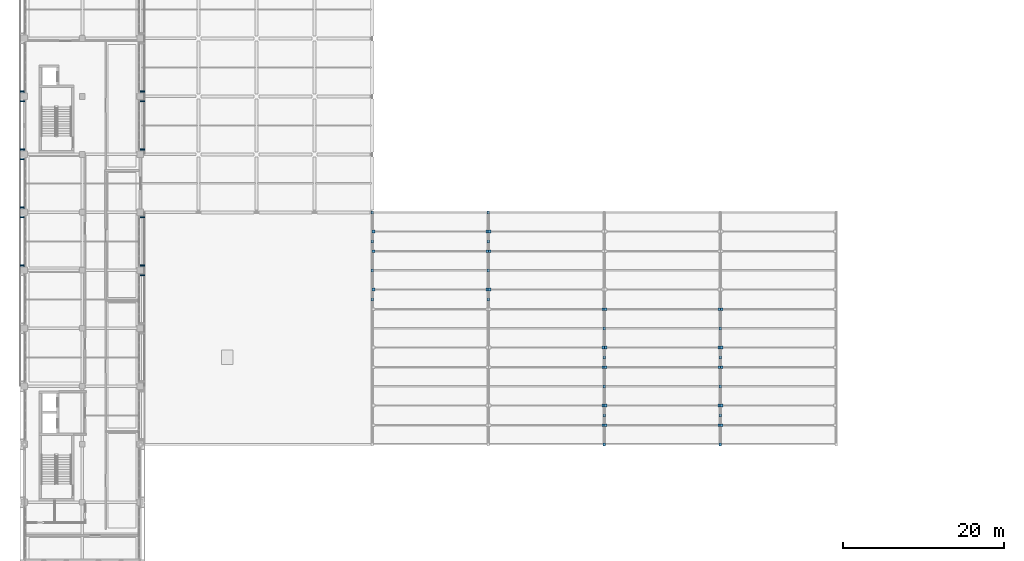
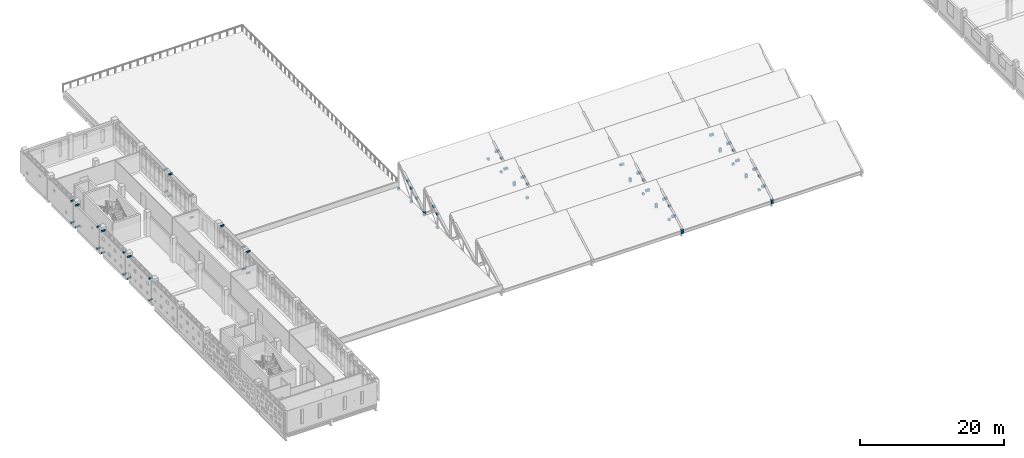
# One storey, part 42 of 51: 89 discrete accessories.
"""IFC4 building model written with IfcOpenShell, lengths in metres."""

from ifc_helpers import new_model, si_unit, direction, frame, origin, origin_2d, place, context, subcontext, project, spatial, rectangle, extrude, material, type_object, element, save


model = new_model("IFC4")

# Units and contexts
model_context = context("Model", 3, precision=1e-05, world=origin(), true_north=direction((0.0, 1.0)))
body_context = subcontext(model_context, "Body", "Model", "MODEL_VIEW")
ifc_project = project(units=[si_unit("LENGTHUNIT", "METRE"), si_unit("AREAUNIT", "SQUARE_METRE"), si_unit("VOLUMEUNIT", "CUBIC_METRE"), si_unit("PLANEANGLEUNIT", "RADIAN"), si_unit("MASSUNIT", "GRAM", prefix="KILO")], contexts=[model_context])

# Site, building, storey
site_placement = place(None, origin())
site = spatial("IfcSite", under=ifc_project, at=site_placement, CompositionType="ELEMENT")
building_placement = place(site_placement, origin())
building = spatial("IfcBuilding", under=site, at=building_placement, Name="Valkovuoma Quantum and Materials Research Institute", CompositionType="ELEMENT")
storey_placement = place(building_placement, frame((0.0, 0.0, 17.280029296875)))
storey = spatial("IfcBuildingStorey", under=building, at=storey_placement, Name="L04", CompositionType="ELEMENT", Elevation=17.280029296875)

# Discrete accessories
ifc_material_1 = material(Name="Steel S355J2", Category="steel")
discrete_accessory_type_1 = type_object("IfcDiscreteAccessoryType", Name="Brk-BRK-01", PredefinedType="BRACKET", material=ifc_material_1)
for number, where, z_axis, x_axis, name in (
    (1, (14.64990234375, 57.0, -0.02978515625), (0.0, 0.0, 1.0), (1.0, 0.0, 0.0), "L04 screen bracket 00182"),
    (2, (14.64990234375, 57.0, 3.6201171875), (0.0, 0.0, 1.0), (1.0, 0.0, 0.0), "L04 screen bracket 00184"),
    (3, (-0.25, 58.199951171875, -0.02978515625), (0.0, 0.0, 1.0), (1.0, 0.0, 0.0), "L04 screen bracket 00185"),
    (4, (-0.25, 64.199951171875, -0.02978515625), (0.0, 0.0, 1.0), (1.0, 0.0, 0.0), "L04 screen bracket 00186"),
    (5, (-0.25, 58.199951171875, 3.6201171875), (0.0, 0.0, 1.0), (1.0, 0.0, 0.0), "L04 screen bracket 00187"),
    (6, (-0.25, 64.199951171875, 3.6201171875), (0.0, 0.0, 1.0), (1.0, 0.0, 0.0), "L04 screen bracket 00188"),
    (7, (14.64990234375, 58.199951171875, -0.02978515625), (0.0, 0.0, 1.0), (1.0, 0.0, 0.0), "L04 screen bracket 00189"),
    (8, (14.64990234375, 64.199951171875, -0.02978515625), (0.0, 0.0, 1.0), (1.0, 0.0, 0.0), "L04 screen bracket 00190"),
    (9, (14.64990234375, 58.199951171875, 3.6201171875), (0.0, 0.0, 1.0), (1.0, 0.0, 0.0), "L04 screen bracket 00191"),
    (10, (14.64990234375, 64.199951171875, 3.6201171875), (0.0, 0.0, 1.0), (1.0, 0.0, 0.0), "L04 screen bracket 00192"),
    (11, (-0.25, 65.39990234375, -0.02978515625), (0.0, 0.0, 1.0), (1.0, 0.0, 0.0), "L04 screen bracket 00193"),
    (12, (-0.25, 71.39990234375, -0.02978515625), (0.0, 0.0, 1.0), (1.0, 0.0, 0.0), "L04 screen bracket 00194"),
    (13, (-0.25, 65.39990234375, 3.6201171875), (0.0, 0.0, 1.0), (1.0, 0.0, 0.0), "L04 screen bracket 00195"),
    (14, (-0.25, 71.39990234375, 3.6201171875), (0.0, 0.0, 1.0), (1.0, 0.0, 0.0), "L04 screen bracket 00196"),
    (15, (-0.25, 72.60009765625, -0.02978515625), (0.0, 0.0, 1.0), (1.0, 0.0, 0.0), "L04 screen bracket 00197"),
    (16, (-0.25, 78.60009765625, -0.02978515625), (0.0, 0.0, 1.0), (1.0, 0.0, 0.0), "L04 screen bracket 00198"),
    (17, (-0.25, 72.60009765625, 3.6201171875), (0.0, 0.0, 1.0), (1.0, 0.0, 0.0), "L04 screen bracket 00199"),
    (18, (-0.25, 78.60009765625, 3.6201171875), (0.0, 0.0, 1.0), (1.0, 0.0, 0.0), "L04 screen bracket 00200"),
    (19, (14.64990234375, 72.60009765625, -0.02978515625), (0.0, 0.0, 1.0), (1.0, 0.0, 0.0), "L04 screen bracket 00201"),
    (20, (14.64990234375, 78.60009765625, -0.02978515625), (0.0, 0.0, 1.0), (1.0, 0.0, 0.0), "L04 screen bracket 00202"),
    (21, (14.64990234375, 72.60009765625, 3.6201171875), (0.0, 0.0, 1.0), (1.0, 0.0, 0.0), "L04 screen bracket 00203"),
    (22, (14.64990234375, 78.60009765625, 3.6201171875), (0.0, 0.0, 1.0), (1.0, 0.0, 0.0), "L04 screen bracket 00204"),
    (23, (-0.25, 79.800048828125, -0.02978515625), (0.0, 0.0, 1.0), (1.0, 0.0, 0.0), "L04 screen bracket 00205"),
    (24, (-0.25, 79.800048828125, 3.6201171875), (0.0, 0.0, 1.0), (1.0, 0.0, 0.0), "L04 screen bracket 00207"),
    (25, (14.64990234375, 79.800048828125, -0.02978515625), (0.0, 0.0, 1.0), (1.0, 0.0, 0.0), "L04 screen bracket 00209"),
    (26, (14.64990234375, 79.800048828125, 3.6201171875), (0.0, 0.0, 1.0), (1.0, 0.0, 0.0), "L04 screen bracket 00211"),
):
    element("IfcDiscreteAccessory", number, at=place(storey_placement, frame(where, z_axis=z_axis, x_axis=x_axis)), inside=storey, type_object=discrete_accessory_type_1, Name=name, PredefinedType="BRACKET", context=body_context, shape_type="SweptSolid", body=[
        extrude(rectangle(XDim=0.580078125, YDim=0.159912109375, at=origin_2d()), origin(), (0.0, 0.0, 1.0), 0.219970703125),
    ])
ifc_material_2 = material(Name="Steel S355J2", Category="steel")
discrete_accessory_type_2 = type_object("IfcDiscreteAccessoryType", Name="Conn-END-01", PredefinedType="BRACKET", material=ifc_material_2)
for number, where, z_axis, x_axis, name in (
    (27, (43.199951171875, 57.60009765625, -0.52001953125), (0.0, 0.0, 1.0), (1.0, 0.0, 0.0), "L04 brace end connection assembly 0143"),
    (28, (43.199951171875, 54.0, -0.52001953125), (0.0, 0.0, 1.0), (1.0, 0.0, 0.0), "L04 brace end connection assembly 0144"),
    (29, (43.199951171875, 54.0, 1.77490234375), (0.0, 0.0, 1.0), (1.0, 0.0, 0.0), "L04 brace end connection assembly 0145"),
    (30, (43.199951171875, 57.60009765625, -0.169921875), (0.0, 0.0, 1.0), (1.0, 0.0, 0.0), "L04 brace end connection assembly 0146"),
    (31, (43.199951171875, 64.800048828125, -0.52001953125), (0.0, 0.0, 1.0), (1.0, 0.0, 0.0), "L04 brace end connection assembly 0147"),
    (32, (43.199951171875, 61.199951171875, -0.52001953125), (0.0, 0.0, 1.0), (1.0, 0.0, 0.0), "L04 brace end connection assembly 0148"),
    (33, (43.199951171875, 61.199951171875, 1.77490234375), (0.0, 0.0, 1.0), (1.0, 0.0, 0.0), "L04 brace end connection assembly 0149"),
    (34, (57.60009765625, 57.60009765625, -0.52001953125), (0.0, 0.0, 1.0), (1.0, 0.0, 0.0), "L04 brace end connection assembly 0160"),
    (35, (57.60009765625, 54.0, -0.52001953125), (0.0, 0.0, 1.0), (1.0, 0.0, 0.0), "L04 brace end connection assembly 0161"),
    (36, (57.60009765625, 54.0, 1.77490234375), (0.0, 0.0, 1.0), (1.0, 0.0, 0.0), "L04 brace end connection assembly 0162"),
    (37, (57.60009765625, 57.60009765625, -0.169921875), (0.0, 0.0, 1.0), (1.0, 0.0, 0.0), "L04 brace end connection assembly 0163"),
    (38, (57.60009765625, 64.800048828125, -0.52001953125), (0.0, 0.0, 1.0), (1.0, 0.0, 0.0), "L04 brace end connection assembly 0164"),
    (39, (57.60009765625, 61.199951171875, -0.52001953125), (0.0, 0.0, 1.0), (1.0, 0.0, 0.0), "L04 brace end connection assembly 0165"),
    (40, (57.60009765625, 61.199951171875, 1.77490234375), (0.0, 0.0, 1.0), (1.0, 0.0, 0.0), "L04 brace end connection assembly 0166"),
    (41, (72.0, 36.0, -0.169921875), (0.0, 0.0, 1.0), (1.0, 0.0, 0.0), "L04 brace end connection assembly 0167"),
    (42, (72.0, 43.199951171875, -0.52001953125), (0.0, 0.0, 1.0), (1.0, 0.0, 0.0), "L04 brace end connection assembly 0168"),
    (43, (72.0, 39.60009765625, -0.52001953125), (0.0, 0.0, 1.0), (1.0, 0.0, 0.0), "L04 brace end connection assembly 0169"),
    (44, (72.0, 39.60009765625, 1.77490234375), (0.0, 0.0, 1.0), (1.0, 0.0, 0.0), "L04 brace end connection assembly 0170"),
    (45, (72.0, 36.0, -0.52001953125), (0.0, 0.0, 1.0), (1.0, 0.0, 0.0), "L04 brace end connection assembly 0171"),
    (46, (72.0, 43.199951171875, -0.169921875), (0.0, 0.0, 1.0), (1.0, 0.0, 0.0), "L04 brace end connection assembly 0172"),
    (47, (72.0, 50.39990234375, -0.52001953125), (0.0, 0.0, 1.0), (1.0, 0.0, 0.0), "L04 brace end connection assembly 0173"),
    (48, (72.0, 46.800048828125, -0.52001953125), (0.0, 0.0, 1.0), (1.0, 0.0, 0.0), "L04 brace end connection assembly 0174"),
    (49, (72.0, 46.800048828125, 1.77490234375), (0.0, 0.0, 1.0), (1.0, 0.0, 0.0), "L04 brace end connection assembly 0175"),
    (50, (72.0, 50.39990234375, -0.169921875), (0.0, 0.0, 1.0), (1.0, 0.0, 0.0), "L04 brace end connection assembly 0176"),
    (51, (86.39990234375, 36.0, -0.169921875), (0.0, 0.0, 1.0), (1.0, 0.0, 0.0), "L04 brace end connection assembly 0184"),
    (52, (86.39990234375, 43.199951171875, -0.52001953125), (0.0, 0.0, 1.0), (1.0, 0.0, 0.0), "L04 brace end connection assembly 0185"),
    (53, (86.39990234375, 39.60009765625, -0.52001953125), (0.0, 0.0, 1.0), (1.0, 0.0, 0.0), "L04 brace end connection assembly 0186"),
    (54, (86.39990234375, 39.60009765625, 1.77490234375), (0.0, 0.0, 1.0), (1.0, 0.0, 0.0), "L04 brace end connection assembly 0187"),
    (55, (86.39990234375, 36.0, -0.52001953125), (0.0, 0.0, 1.0), (1.0, 0.0, 0.0), "L04 brace end connection assembly 0188"),
    (56, (86.39990234375, 43.199951171875, -0.169921875), (0.0, 0.0, 1.0), (1.0, 0.0, 0.0), "L04 brace end connection assembly 0189"),
    (57, (86.39990234375, 50.39990234375, -0.52001953125), (0.0, 0.0, 1.0), (1.0, 0.0, 0.0), "L04 brace end connection assembly 0190"),
    (58, (86.39990234375, 46.800048828125, -0.52001953125), (0.0, 0.0, 1.0), (1.0, 0.0, 0.0), "L04 brace end connection assembly 0191"),
    (59, (86.39990234375, 46.800048828125, 1.77490234375), (0.0, 0.0, 1.0), (1.0, 0.0, 0.0), "L04 brace end connection assembly 0192"),
    (60, (86.39990234375, 50.39990234375, -0.169921875), (0.0, 0.0, 1.0), (1.0, 0.0, 0.0), "L04 brace end connection assembly 0193"),
    (61, (71.85009765625, 38.3759765625, 0.7939453125), (0.0, 0.0, 1.0), (1.0, 0.0, 0.0), "L04 brace end connection assembly 0223"),
    (62, (71.85009765625, 40.823974609375, 2.2353515625), (0.0, 0.0, 1.0), (1.0, 0.0, 0.0), "L04 brace end connection assembly 0225"),
    (63, (72.14990234375, 38.3759765625, 0.7939453125), (0.0, 0.0, 1.0), (1.0, 0.0, 0.0), "L04 brace end connection assembly 0226"),
    (64, (86.25, 38.3759765625, 0.7939453125), (0.0, 0.0, 1.0), (1.0, 0.0, 0.0), "L04 brace end connection assembly 0227"),
    (65, (72.14990234375, 40.823974609375, 2.2353515625), (0.0, 0.0, 1.0), (1.0, 0.0, 0.0), "L04 brace end connection assembly 0228"),
    (66, (86.25, 40.823974609375, 2.2353515625), (0.0, 0.0, 1.0), (1.0, 0.0, 0.0), "L04 brace end connection assembly 0229"),
    (67, (86.550048828125, 38.3759765625, 0.7939453125), (0.0, 0.0, 1.0), (1.0, 0.0, 0.0), "L04 brace end connection assembly 0230"),
    (68, (86.550048828125, 40.823974609375, 2.2353515625), (0.0, 0.0, 1.0), (1.0, 0.0, 0.0), "L04 brace end connection assembly 0232"),
    (69, (71.85009765625, 45.575927734375, 0.7939453125), (0.0, 0.0, 1.0), (1.0, 0.0, 0.0), "L04 brace end connection assembly 0239"),
    (70, (71.85009765625, 48.02392578125, 2.2353515625), (0.0, 0.0, 1.0), (1.0, 0.0, 0.0), "L04 brace end connection assembly 0241"),
    (71, (72.14990234375, 45.575927734375, 0.7939453125), (0.0, 0.0, 1.0), (1.0, 0.0, 0.0), "L04 brace end connection assembly 0242"),
    (72, (86.25, 45.575927734375, 0.7939453125), (0.0, 0.0, 1.0), (1.0, 0.0, 0.0), "L04 brace end connection assembly 0243"),
    (73, (72.14990234375, 48.02392578125, 2.2353515625), (0.0, 0.0, 1.0), (1.0, 0.0, 0.0), "L04 brace end connection assembly 0244"),
    (74, (86.25, 48.02392578125, 2.2353515625), (0.0, 0.0, 1.0), (1.0, 0.0, 0.0), "L04 brace end connection assembly 0245"),
    (75, (86.550048828125, 45.575927734375, 0.7939453125), (0.0, 0.0, 1.0), (1.0, 0.0, 0.0), "L04 brace end connection assembly 0246"),
    (76, (86.550048828125, 48.02392578125, 2.2353515625), (0.0, 0.0, 1.0), (1.0, 0.0, 0.0), "L04 brace end connection assembly 0248"),
    (77, (43.35009765625, 55.22412109375, 2.2353515625), (0.0, 0.0, 1.0), (1.0, 0.0, 0.0), "L04 brace end connection assembly 0252"),
    (78, (57.449951171875, 55.22412109375, 2.2353515625), (0.0, 0.0, 1.0), (1.0, 0.0, 0.0), "L04 brace end connection assembly 0253"),
    (79, (71.85009765625, 52.77587890625, 0.7939453125), (0.0, 0.0, 1.0), (1.0, 0.0, 0.0), "L04 brace end connection assembly 0255"),
    (80, (57.75, 55.22412109375, 2.2353515625), (0.0, 0.0, 1.0), (1.0, 0.0, 0.0), "L04 brace end connection assembly 0256"),
    (81, (72.14990234375, 52.77587890625, 0.7939453125), (0.0, 0.0, 1.0), (1.0, 0.0, 0.0), "L04 brace end connection assembly 0258"),
    (82, (86.25, 52.77587890625, 0.7939453125), (0.0, 0.0, 1.0), (1.0, 0.0, 0.0), "L04 brace end connection assembly 0259"),
    (83, (86.550048828125, 52.77587890625, 0.7939453125), (0.0, 0.0, 1.0), (1.0, 0.0, 0.0), "L04 brace end connection assembly 0262"),
    (84, (43.35009765625, 59.97607421875, 0.7939453125), (0.0, 0.0, 1.0), (1.0, 0.0, 0.0), "L04 brace end connection assembly 0266"),
    (85, (57.449951171875, 59.97607421875, 0.7939453125), (0.0, 0.0, 1.0), (1.0, 0.0, 0.0), "L04 brace end connection assembly 0267"),
    (86, (43.35009765625, 62.424072265625, 2.2353515625), (0.0, 0.0, 1.0), (1.0, 0.0, 0.0), "L04 brace end connection assembly 0268"),
    (87, (57.449951171875, 62.424072265625, 2.2353515625), (0.0, 0.0, 1.0), (1.0, 0.0, 0.0), "L04 brace end connection assembly 0269"),
    (88, (57.75, 59.97607421875, 0.7939453125), (0.0, 0.0, 1.0), (1.0, 0.0, 0.0), "L04 brace end connection assembly 0270"),
    (89, (57.75, 62.424072265625, 2.2353515625), (0.0, 0.0, 1.0), (1.0, 0.0, 0.0), "L04 brace end connection assembly 0272"),
):
    element("IfcDiscreteAccessory", number, at=place(storey_placement, frame(where, z_axis=z_axis, x_axis=x_axis)), inside=storey, type_object=discrete_accessory_type_2, Name=name, PredefinedType="BRACKET", context=body_context, shape_type="SweptSolid", body=[
        extrude(rectangle(XDim=0.340087890625, YDim=0.340087890625, at=origin_2d()), origin(), (0.0, 0.0, 1.0), 0.340087890625),
    ])

save(model, "model.ifc")
